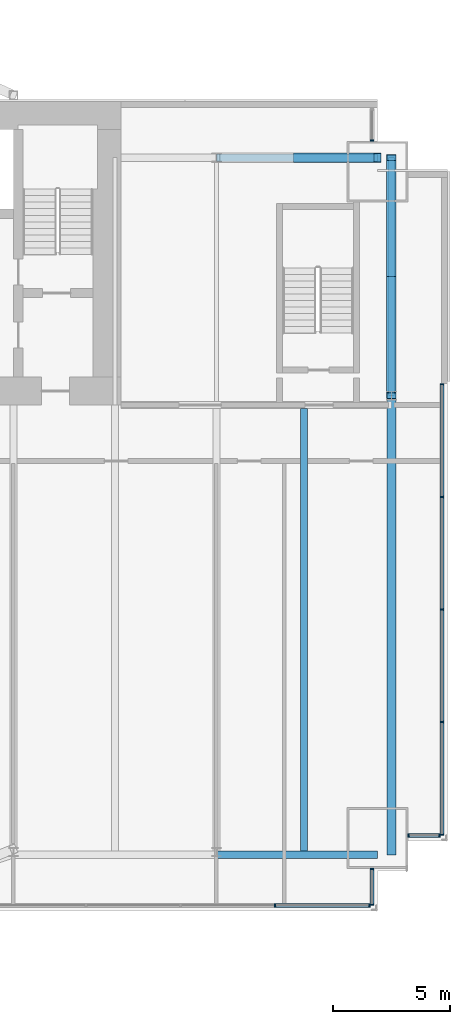
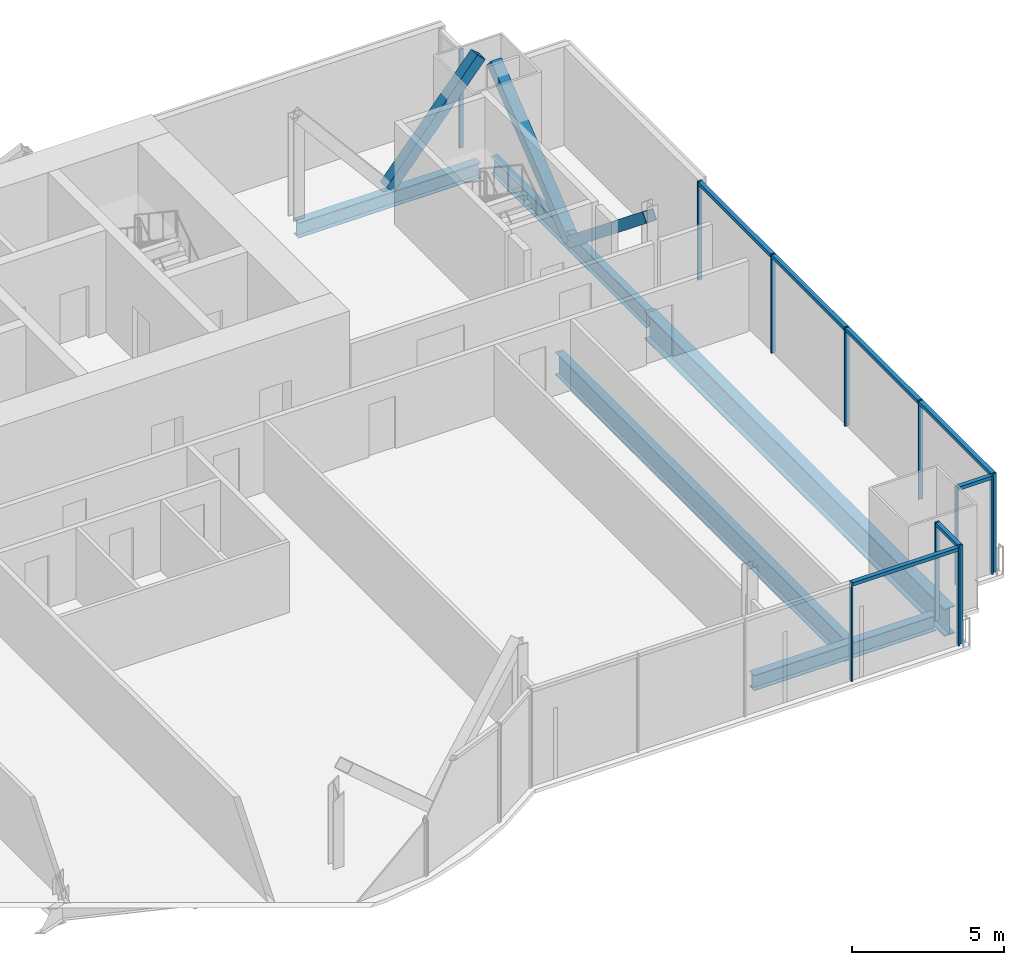
# One storey, part 12 of 21: 22 members, 5 beams, 5 elements without a shape of their own.
"""IFC4 building model written with IfcOpenShell, lengths in metres."""

import ifcopenshell
import ifcopenshell.guid

model = None  # the IFC model being written
_history = None  # IfcOwnerHistory: only IFC2X3 demands one
_inside = {}  # id of a spatial element -> (the spatial element, [elements in it])
_under = {}  # id of a project, library or spatial element -> (it, [spatial elements below it])
_declared = {}  # id of a project -> (the project, [libraries it declares])
_typed = {}  # id of a type object -> (the type object, [elements of that type])
_made_of = {}  # id of a material, layer set ... -> (it, [elements and type objects made of it])


def new_model(schema):
    """Start an empty IFC model of exactly this schema.

    Asked for "IFC4X3", IfcOpenShell would pick the latest addendum, in which some entities
    have other attributes; the version numbers below select the first issue.
    IFC2X3 requires an IfcOwnerHistory on every rooted entity: one is made here for all.
    """
    global model, _history
    if schema == "IFC4X3":
        model = ifcopenshell.file(schema_version=(4, 3, 0, 0))
    else:
        model = ifcopenshell.file(schema=schema)
    _inside.clear()
    _under.clear()
    _declared.clear()
    _typed.clear()
    _made_of.clear()
    _history = None
    if model.schema == "IFC2X3":
        org = make("IfcOrganization", Name="unknown")
        user = make(
            "IfcPersonAndOrganization",
            ThePerson=make("IfcPerson", FamilyName="unknown"),
            TheOrganization=org,
        )
        app = make(
            "IfcApplication",
            ApplicationDeveloper=org,
            Version="unknown",
            ApplicationFullName="unknown",
            ApplicationIdentifier="unknown",
        )
        _history = make(
            "IfcOwnerHistory",
            OwningUser=user,
            OwningApplication=app,
            ChangeAction="ADDED",
            CreationDate=0,
        )
    return model


def make(cls, **values):
    """One entity of the class cls with the attributes given. An attribute that is None is left unset."""
    return model.create_entity(
        cls, **{name: value for name, value in values.items() if value is not None}
    )


def rooted(cls, **values):
    """An entity with a GlobalId (a new one), such as an element, a storey or a relation."""
    return make(cls, GlobalId=ifcopenshell.guid.new(), OwnerHistory=_history, **values)


def si_unit(unit_type, name, prefix=None):
    """IfcSIUnit, for example si_unit("LENGTHUNIT", "METRE", prefix="MILLI")."""
    return make("IfcSIUnit", UnitType=unit_type, Prefix=prefix, Name=name)


def assignment(units):
    """IfcUnitAssignment: the units of a project."""
    return None if units is None else make("IfcUnitAssignment", Units=units)


def point(xyz):
    """IfcCartesianPoint."""
    return None if xyz is None else make("IfcCartesianPoint", Coordinates=xyz)


def direction(xyz):
    """IfcDirection."""
    return None if xyz is None else make("IfcDirection", DirectionRatios=xyz)


def frame(location, z_axis=None, x_axis=None):
    """IfcAxis2Placement3D, a coordinate frame: its origin and axes. An axis left out is left unset."""
    return make(
        "IfcAxis2Placement3D",
        Location=point(location),
        Axis=direction(z_axis),
        RefDirection=direction(x_axis),
    )


def frame_2d(location, x_axis=None):
    """IfcAxis2Placement2D, a coordinate frame in the plane: its origin and x axis."""
    return make(
        "IfcAxis2Placement2D", Location=point(location), RefDirection=direction(x_axis)
    )


def origin():
    """The frame at (0, 0, 0) with its axes left unset."""
    return frame((0.0, 0.0, 0.0))


def origin_2d():
    """The frame at (0, 0) in the plane with its x axis left unset."""
    return frame_2d((0.0, 0.0))


def place(relative_to, where):
    """IfcLocalPlacement: puts the frame where relative to a parent placement (None: the world)."""
    return make(
        "IfcLocalPlacement", PlacementRelTo=relative_to, RelativePlacement=where
    )


def context(
    kind, dimensions, precision=None, world=None, true_north=None, identifier=None
):
    """IfcGeometricRepresentationContext, for example the 3D "Model" context."""
    return make(
        "IfcGeometricRepresentationContext",
        ContextIdentifier=identifier,
        ContextType=kind,
        CoordinateSpaceDimension=dimensions,
        Precision=precision,
        WorldCoordinateSystem=world,
        TrueNorth=true_north,
    )


def subcontext(parent, identifier, kind, view, scale=None):
    """IfcGeometricRepresentationSubContext, for example "Body" below "Model"."""
    return make(
        "IfcGeometricRepresentationSubContext",
        ContextIdentifier=identifier,
        ContextType=kind,
        ParentContext=parent,
        TargetScale=scale,
        TargetView=view,
    )


def project(units=None, contexts=None):
    """IfcProject with its units and contexts."""
    return rooted(
        "IfcProject",
        Name="project",
        RepresentationContexts=contexts,
        UnitsInContext=assignment(units),
    )


def spatial(cls, under=None, at=None, **own):
    """A site, building, storey or space (cls), placed at a placement, below another one or the project."""
    s = rooted(cls, ObjectPlacement=at, **own)
    if under is not None:
        _under.setdefault(under.id(), (under, []))[1].append(s)
    return s


def profile(cls, at=None, kind="AREA", **sizes):
    """A parametric profile (cls). Its sizes go by their IFC names, for example OverallWidth=200.0."""
    return make(cls, ProfileType=kind, Position=at, **sizes)


def rectangle(**sizes):
    """IfcRectangleProfileDef."""
    return profile("IfcRectangleProfileDef", **sizes)


def hollow_rectangle(**sizes):
    """IfcRectangleHollowProfileDef."""
    return profile("IfcRectangleHollowProfileDef", **sizes)


def i_section(**sizes):
    """IfcIShapeProfileDef."""
    return profile("IfcIShapeProfileDef", **sizes)


def extrude(swept, where, along, depth):
    """IfcExtrudedAreaSolid: the profile swept, set in the frame where, extruded along a direction by depth."""
    return make(
        "IfcExtrudedAreaSolid",
        SweptArea=swept,
        Position=where,
        ExtrudedDirection=direction(along),
        Depth=depth,
    )


def shape(context_of_items, identifier, shape_type, items):
    """IfcShapeRepresentation: the items that make up one representation, for example the "Body"."""
    return make(
        "IfcShapeRepresentation",
        ContextOfItems=context_of_items,
        RepresentationIdentifier=identifier,
        RepresentationType=shape_type,
        Items=items,
    )


def material(Name=None, Category=None):
    """IfcMaterial."""
    return make("IfcMaterial", Name=Name, Category=Category)


def material_profile(
    of_material, cross_section, Name=None, Category=None, Priority=None
):
    """IfcMaterialProfile: a cross section and its material."""
    return make(
        "IfcMaterialProfile",
        Name=Name,
        Material=of_material,
        Profile=cross_section,
        Priority=Priority,
        Category=Category,
    )


def profile_set(profiles, Name=None, composite=None):
    """IfcMaterialProfileSet."""
    return make(
        "IfcMaterialProfileSet",
        Name=Name,
        MaterialProfiles=profiles,
        CompositeProfile=composite,
    )


def made_of(thing, what):
    """Note that an element or type object is made of a material, layer set ...; save() writes the relation."""
    if what is not None:
        _made_of.setdefault(what.id(), (what, []))[1].append(thing)
    return thing


def type_object(cls, material=None, **own):
    """A type object (cls), such as IfcWallType, which elements share."""
    return made_of(rooted(cls, **own), material)


def element(
    cls,
    number,
    at=None,
    inside=None,
    cuts=None,
    type_object=None,
    material=None,
    context=None,
    identifier="Body",
    shape_type=None,
    held_by="IfcProductDefinitionShape",
    body=None,
    shapes=None,
    **own,
):
    """One element of the class cls, such as IfcWall. Its Tag is "e" and its number.

    at: its placement. inside: the storey or other place that contains it. cuts: it is an
    opening in that element (IfcRelVoidsElement). A single representation is given by context,
    identifier, shape_type and body (its items); several are given by shapes. held_by: the class
    of the entity that holds the representations. save() writes the other relations.
    """
    e = rooted(cls, Tag="e%d" % number, ObjectPlacement=at, **own)
    if body is not None:
        shapes = [shape(context, identifier, shape_type, body)]
    if shapes is not None:
        e.Representation = make(held_by, Representations=shapes)
    if inside is not None:
        _inside.setdefault(inside.id(), (inside, []))[1].append(e)
    if cuts is not None:
        rooted(
            "IfcRelVoidsElement", RelatingBuildingElement=cuts, RelatedOpeningElement=e
        )
    if type_object is not None:
        _typed.setdefault(type_object.id(), (type_object, []))[1].append(e)
    return made_of(e, material)


def aggregate(whole, parts):
    """IfcRelAggregates: a whole, such as a stair, and the parts it consists of."""
    return rooted("IfcRelAggregates", RelatingObject=whole, RelatedObjects=parts)


def save(model, path):
    """Write the relations noted so far, then the file.

    IfcRelAggregates (storeys below a building ...), IfcRelContainedInSpatialStructure (elements
    in a storey), IfcRelDefinesByType, IfcRelAssociatesMaterial and IfcRelDeclares: one each for
    every whole, place, type object, material and project.
    """
    for whole, parts in _under.values():
        aggregate(whole, parts)
    for where, things in _inside.values():
        rooted(
            "IfcRelContainedInSpatialStructure",
            RelatedElements=things,
            RelatingStructure=where,
        )
    for kind, things in _typed.values():
        rooted("IfcRelDefinesByType", RelatedObjects=things, RelatingType=kind)
    for what, things in _made_of.values():
        rooted("IfcRelAssociatesMaterial", RelatedObjects=things, RelatingMaterial=what)
    for by, libraries in _declared.values():
        rooted("IfcRelDeclares", RelatingContext=by, RelatedDefinitions=libraries)
    model.write(path)


model = new_model("IFC4")

# Units and contexts
model_context = context("Model", 3, precision=1e-05, world=origin(), true_north=direction((0.0, 1.0)))
body_context = subcontext(model_context, "Body", "Model", "MODEL_VIEW")
ifc_project = project(units=[si_unit("LENGTHUNIT", "METRE"), si_unit("AREAUNIT", "SQUARE_METRE"), si_unit("VOLUMEUNIT", "CUBIC_METRE"), si_unit("PLANEANGLEUNIT", "RADIAN"), si_unit("MASSUNIT", "GRAM", prefix="KILO")], contexts=[model_context])

# Site, building, storey
site_placement = place(None, origin())
site = spatial("IfcSite", under=ifc_project, at=site_placement, CompositionType="ELEMENT")
building_placement = place(site_placement, origin())
building = spatial("IfcBuilding", under=site, at=building_placement, Name="Bicima Exchange Tower", CompositionType="ELEMENT")
storey_placement = place(building_placement, frame((0.0, 0.0, 165.0)))
storey = spatial("IfcBuildingStorey", under=building, at=storey_placement, Name="L36", CompositionType="ELEMENT", Elevation=165.0)

# Curtain wall, members
ifc_material_1 = material(Name="Anodised bronze aluminium", Category="aluminium")
curtain_wall_type_1 = type_object("IfcCurtainWallType", Name="End face glass wall", PredefinedType="NOTDEFINED", material=ifc_material_1)
curtain_wall_1_placement = place(storey_placement, origin())
curtain_wall_1 = element("IfcCurtainWall", 1, at=curtain_wall_1_placement, inside=storey, type_object=curtain_wall_type_1, Name="End face glass wall L36 run 19", PredefinedType="NOTDEFINED")
ifc_material_profile_1 = material_profile(ifc_material_1, rectangle(XDim=0.159912109375, YDim=0.06005859375, at=origin_2d()))
ifc_profile_set_1 = profile_set([ifc_material_profile_1], Name="Anodised bronze aluminium")
member_type_1 = type_object("IfcMemberType", Name="End face glass wall mullion 60 x 160", PredefinedType="MULLION", material=ifc_profile_set_1)
member_1_placement = place(storey_placement, frame((35.77001953125, -31.419921875, 0.0), z_axis=(0.0, 0.0, 1.0), x_axis=(-1.0, 0.0, 0.0)))
member_1 = element("IfcMember", 2, at=member_1_placement, type_object=member_type_1, Name="End face glass wall mullion 1", PredefinedType="MULLION", context=body_context, shape_type="SweptSolid", body=[
    extrude(rectangle(XDim=0.159912109375, YDim=0.06005859375, at=origin_2d()), origin(), (0.0, 0.0, 1.0), 3.949951171875),
])
member_2_placement = place(storey_placement, frame((35.77001953125, -26.592529296875, 0.0), z_axis=(0.0, 0.0, 1.0), x_axis=(-1.0, 0.0, 0.0)))
member_2 = element("IfcMember", 3, at=member_2_placement, type_object=member_type_1, Name="End face glass wall mullion 2", PredefinedType="MULLION", context=body_context, shape_type="SweptSolid", body=[
    extrude(rectangle(XDim=0.159912109375, YDim=0.06005859375, at=origin_2d()), origin(), (0.0, 0.0, 1.0), 3.949951171875),
])
member_3_placement = place(storey_placement, frame((35.77001953125, -21.764892578125, 0.0), z_axis=(0.0, 0.0, 1.0), x_axis=(-1.0, 0.0, 0.0)))
member_3 = element("IfcMember", 4, at=member_3_placement, type_object=member_type_1, Name="End face glass wall mullion 3", PredefinedType="MULLION", context=body_context, shape_type="SweptSolid", body=[
    extrude(rectangle(XDim=0.159912109375, YDim=0.06005859375, at=origin_2d()), origin(), (0.0, 0.0, 1.0), 3.949951171875),
])
member_4_placement = place(storey_placement, frame((35.77001953125, -16.9375, 0.0), z_axis=(0.0, 0.0, 1.0), x_axis=(-1.0, 0.0, 0.0)))
member_4 = element("IfcMember", 5, at=member_4_placement, type_object=member_type_1, Name="End face glass wall mullion 4", PredefinedType="MULLION", context=body_context, shape_type="SweptSolid", body=[
    extrude(rectangle(XDim=0.159912109375, YDim=0.06005859375, at=origin_2d()), origin(), (0.0, 0.0, 1.0), 3.949951171875),
])
member_5_placement = place(storey_placement, frame((35.77001953125, -12.110107421875, 0.0), z_axis=(0.0, 0.0, 1.0), x_axis=(-1.0, 0.0, 0.0)))
member_5 = element("IfcMember", 6, at=member_5_placement, type_object=member_type_1, Name="End face glass wall mullion 5", PredefinedType="MULLION", context=body_context, shape_type="SweptSolid", body=[
    extrude(rectangle(XDim=0.159912109375, YDim=0.06005859375, at=origin_2d()), origin(), (0.0, 0.0, 1.0), 3.949951171875),
])
ifc_material_profile_2 = material_profile(ifc_material_1, rectangle(XDim=0.159912109375, YDim=0.139892578125, at=origin_2d()))
ifc_profile_set_2 = profile_set([ifc_material_profile_2], Name="Anodised bronze aluminium")
member_type_2 = type_object("IfcMemberType", Name="End face glass wall transom 140 x 160", PredefinedType="USERDEFINED", material=ifc_profile_set_2)
member_6_placement = place(storey_placement, frame((35.77001953125, -31.389892578125, 3.8798828125), z_axis=(0.0, 1.0, 0.0), x_axis=(-1.0, 0.0, 0.0)))
member_6 = element("IfcMember", 7, at=member_6_placement, type_object=member_type_2, Name="End face glass wall transom 1.1", ObjectType="TRANSOM", PredefinedType="USERDEFINED", context=body_context, shape_type="SweptSolid", body=[
    extrude(rectangle(XDim=0.159912109375, YDim=0.139892578125, at=origin_2d()), origin(), (0.0, 0.0, 1.0), 4.767333984375),
])
member_7_placement = place(storey_placement, frame((35.77001953125, -26.5625, 3.8798828125), z_axis=(0.0, 1.0, 0.0), x_axis=(-1.0, 0.0, 0.0)))
member_7 = element("IfcMember", 8, at=member_7_placement, type_object=member_type_2, Name="End face glass wall transom 2.1", ObjectType="TRANSOM", PredefinedType="USERDEFINED", context=body_context, shape_type="SweptSolid", body=[
    extrude(rectangle(XDim=0.159912109375, YDim=0.139892578125, at=origin_2d()), origin(), (0.0, 0.0, 1.0), 4.767578125),
])
member_8_placement = place(storey_placement, frame((35.77001953125, -21.735107421875, 3.8798828125), z_axis=(0.0, 1.0, 0.0), x_axis=(-1.0, 0.0, 0.0)))
member_8 = element("IfcMember", 9, at=member_8_placement, type_object=member_type_2, Name="End face glass wall transom 3.1", ObjectType="TRANSOM", PredefinedType="USERDEFINED", context=body_context, shape_type="SweptSolid", body=[
    extrude(rectangle(XDim=0.159912109375, YDim=0.139892578125, at=origin_2d()), origin(), (0.0, 0.0, 1.0), 4.767578125),
])
member_9_placement = place(storey_placement, frame((35.77001953125, -16.907470703125, 3.8798828125), z_axis=(0.0, 1.0, 0.0), x_axis=(-1.0, 0.0, 0.0)))
member_9 = element("IfcMember", 10, at=member_9_placement, type_object=member_type_2, Name="End face glass wall transom 4.1", ObjectType="TRANSOM", PredefinedType="USERDEFINED", context=body_context, shape_type="SweptSolid", body=[
    extrude(rectangle(XDim=0.159912109375, YDim=0.139892578125, at=origin_2d()), origin(), (0.0, 0.0, 1.0), 4.767578125),
])
aggregate(curtain_wall_1, [member_1, member_2, member_3, member_4, member_5, member_6, member_7, member_8, member_9])

# Beams
ifc_material_2 = material(Name="Steel ASTM A992 Gr 50", Category="steel")
ifc_material_profile_3 = material_profile(ifc_material_2, i_section(OverallWidth=0.256591796875, OverallDepth=0.693359375, WebThickness=0.014404296875, FlangeThickness=0.023681640625, at=origin_2d()))
ifc_profile_set_3 = profile_set([ifc_material_profile_3], Name="Steel ASTM A992 Gr 50")
beam_type_1 = type_object("IfcBeamType", Name="End girder W27x114", PredefinedType="BEAM", material=ifc_profile_set_3)
beam_1_placement = place(storey_placement, frame((33.60009765625, -2.39990234375, -0.49658203125), z_axis=(0.0, -1.0, 0.0), x_axis=(1.0, 0.0, 0.0)))
element("IfcBeam", 11, at=beam_1_placement, inside=storey, type_object=beam_type_1, Name="End girder", PredefinedType="BEAM", context=body_context, shape_type="SweptSolid", body=[
    extrude(i_section(OverallWidth=0.256591796875, OverallDepth=0.693359375, WebThickness=0.014404296875, FlangeThickness=0.023681640625, at=origin_2d()), origin(), (0.0, 0.0, 1.0), 10.2001953125),
])
ifc_material_profile_4 = material_profile(ifc_material_2, i_section(OverallWidth=0.4013671875, OverallDepth=1.089599609375, WebThickness=0.01806640625, FlangeThickness=0.031005859375, at=origin_2d()))
ifc_profile_set_4 = profile_set([ifc_material_profile_4], Name="Steel ASTM A992 Gr 50")
beam_type_2 = type_object("IfcBeamType", Name="End girder W44x230", PredefinedType="BEAM", material=ifc_profile_set_4)
beam_2_placement = place(storey_placement, frame((33.60009765625, -12.60009765625, -0.69482421875), z_axis=(0.0, -1.0, 0.0), x_axis=(1.0, 0.0, 0.0)))
element("IfcBeam", 12, at=beam_2_placement, inside=storey, type_object=beam_type_2, Name="End girder", PredefinedType="BEAM", context=body_context, shape_type="SweptSolid", body=[
    extrude(i_section(OverallWidth=0.4013671875, OverallDepth=1.089599609375, WebThickness=0.01806640625, FlangeThickness=0.031005859375, at=origin_2d()), origin(), (0.0, 0.0, 1.0), 19.679931640625),
])
ifc_material_profile_5 = material_profile(ifc_material_2, i_section(OverallWidth=0.3046875, OverallDepth=0.904296875, WebThickness=0.01513671875, FlangeThickness=0.02001953125, at=origin_2d()))
ifc_profile_set_5 = profile_set([ifc_material_profile_5], Name="Steel ASTM A992 Gr 50")
beam_type_3 = type_object("IfcBeamType", Name="Floor beam W36x135", PredefinedType="JOIST", material=ifc_profile_set_5)
beam_3_placement = place(storey_placement, frame((29.85009765625, -13.15234375, -0.60205078125), z_axis=(0.0, -1.0, 0.0), x_axis=(1.0, 0.0, 0.0)))
element("IfcBeam", 13, at=beam_3_placement, inside=storey, type_object=beam_type_3, Name="Floor beam", PredefinedType="JOIST", context=body_context, shape_type="SweptSolid", body=[
    extrude(i_section(OverallWidth=0.3046875, OverallDepth=0.904296875, WebThickness=0.01513671875, FlangeThickness=0.02001953125, at=origin_2d()), origin(), (0.0, 0.0, 1.0), 18.965087890625),
])
ifc_material_profile_6 = material_profile(ifc_material_2, i_section(OverallWidth=0.3251953125, OverallDepth=0.612060546875, WebThickness=0.0126953125, FlangeThickness=0.01904296875, at=origin_2d()))
ifc_profile_set_6 = profile_set([ifc_material_profile_6], Name="Steel ASTM A992 Gr 50")
beam_type_4 = type_object("IfcBeamType", Name="Front girder W24x104", PredefinedType="BEAM", material=ifc_profile_set_6)
beam_4_placement = place(storey_placement, frame((26.10009765625, -32.280029296875, -0.4560546875), z_axis=(1.0, 0.0, 0.0), x_axis=(0.0, 1.0, 0.0)))
element("IfcBeam", 14, at=beam_4_placement, inside=storey, type_object=beam_type_4, Name="Front girder", PredefinedType="BEAM", context=body_context, shape_type="SweptSolid", body=[
    extrude(i_section(OverallWidth=0.3251953125, OverallDepth=0.612060546875, WebThickness=0.0126953125, FlangeThickness=0.01904296875, at=origin_2d()), origin(), (0.0, 0.0, 1.0), 6.89990234375),
])

# Curtain wall, members
curtain_wall_type_2 = type_object("IfcCurtainWallType", Name="Front glass wall", PredefinedType="NOTDEFINED", material=ifc_material_1)
curtain_wall_2_placement = place(storey_placement, origin())
curtain_wall_2 = element("IfcCurtainWall", 15, at=curtain_wall_2_placement, inside=storey, type_object=curtain_wall_type_2, Name="Front glass wall L36 run 16", PredefinedType="NOTDEFINED")
member_type_3 = type_object("IfcMemberType", Name="Front glass wall mullion 60 x 160", PredefinedType="MULLION", material=ifc_profile_set_1)
member_10_placement = place(storey_placement, frame((28.610595703125, -34.449951171875, 0.0), z_axis=(0.0, 0.0, 1.0), x_axis=(0.0, 1.0, 0.0)))
member_10 = element("IfcMember", 16, at=member_10_placement, type_object=member_type_3, Name="Front glass wall mullion 4", PredefinedType="MULLION", context=body_context, shape_type="SweptSolid", body=[
    extrude(rectangle(XDim=0.159912109375, YDim=0.06005859375, at=origin_2d()), origin(), (0.0, 0.0, 1.0), 3.949951171875),
])
member_11_placement = place(storey_placement, frame((32.659912109375, -34.449951171875, 0.0), z_axis=(0.0, 0.0, 1.0), x_axis=(0.0, 1.0, 0.0)))
member_11 = element("IfcMember", 17, at=member_11_placement, type_object=member_type_3, Name="Front glass wall mullion 5", PredefinedType="MULLION", context=body_context, shape_type="SweptSolid", body=[
    extrude(rectangle(XDim=0.159912109375, YDim=0.06005859375, at=origin_2d()), origin(), (0.0, 0.0, 1.0), 3.949951171875),
])

curtain_wall_3_placement = place(storey_placement, origin())
curtain_wall_3 = element("IfcCurtainWall", 18, at=curtain_wall_3_placement, inside=storey, type_object=curtain_wall_type_2, Name="Front glass wall L36 run 17", PredefinedType="NOTDEFINED")
member_12_placement = place(storey_placement, frame((32.77001953125, -34.419921875, 0.0), z_axis=(0.0, 0.0, 1.0), x_axis=(-1.0, 0.0, 0.0)))
member_12 = element("IfcMember", 19, at=member_12_placement, type_object=member_type_3, Name="Front glass wall mullion 1", PredefinedType="MULLION", context=body_context, shape_type="SweptSolid", body=[
    extrude(rectangle(XDim=0.159912109375, YDim=0.06005859375, at=origin_2d()), origin(), (0.0, 0.0, 1.0), 3.949951171875),
])
member_13_placement = place(storey_placement, frame((32.77001953125, -32.887939453125, 0.0), z_axis=(0.0, 0.0, 1.0), x_axis=(-1.0, 0.0, 0.0)))
member_13 = element("IfcMember", 20, at=member_13_placement, type_object=member_type_3, Name="Front glass wall mullion 2", PredefinedType="MULLION", context=body_context, shape_type="SweptSolid", body=[
    extrude(rectangle(XDim=0.159912109375, YDim=0.06005859375, at=origin_2d()), origin(), (0.0, 0.0, 1.0), 3.949951171875),
])

curtain_wall_4_placement = place(storey_placement, origin())
curtain_wall_4 = element("IfcCurtainWall", 21, at=curtain_wall_4_placement, inside=storey, type_object=curtain_wall_type_2, Name="Front glass wall L36 run 18", PredefinedType="NOTDEFINED")
member_14_placement = place(storey_placement, frame((34.330078125, -31.449951171875, 0.0), z_axis=(0.0, 0.0, 1.0), x_axis=(0.0, 1.0, 0.0)))
member_14 = element("IfcMember", 22, at=member_14_placement, type_object=member_type_3, Name="Front glass wall mullion 1", PredefinedType="MULLION", context=body_context, shape_type="SweptSolid", body=[
    extrude(rectangle(XDim=0.159912109375, YDim=0.06005859375, at=origin_2d()), origin(), (0.0, 0.0, 1.0), 3.949951171875),
])
member_15_placement = place(storey_placement, frame((35.659912109375, -31.449951171875, 0.0), z_axis=(0.0, 0.0, 1.0), x_axis=(0.0, 1.0, 0.0)))
member_15 = element("IfcMember", 23, at=member_15_placement, type_object=member_type_3, Name="Front glass wall mullion 2", PredefinedType="MULLION", context=body_context, shape_type="SweptSolid", body=[
    extrude(rectangle(XDim=0.159912109375, YDim=0.06005859375, at=origin_2d()), origin(), (0.0, 0.0, 1.0), 3.949951171875),
])

# Curtain wall, member
curtain_wall_5_placement = place(storey_placement, origin())
curtain_wall_5 = element("IfcCurtainWall", 24, at=curtain_wall_5_placement, inside=storey, type_object=curtain_wall_type_2, Name="Front glass wall L36 run 20", PredefinedType="NOTDEFINED")
member_16_placement = place(storey_placement, frame((32.77001953125, -1.669921875, 0.0), z_axis=(0.0, 0.0, 1.0), x_axis=(-1.0, 0.0, 0.0)))
member_16 = element("IfcMember", 25, at=member_16_placement, type_object=member_type_3, Name="Front glass wall mullion 1", PredefinedType="MULLION", context=body_context, shape_type="SweptSolid", body=[
    extrude(rectangle(XDim=0.159912109375, YDim=0.06005859375, at=origin_2d()), origin(), (0.0, 0.0, 1.0), 3.949951171875),
])
aggregate(curtain_wall_5, [member_16])

# Member
member_type_4 = type_object("IfcMemberType", Name="Front glass wall transom 140 x 160", PredefinedType="USERDEFINED", material=ifc_profile_set_2)
member_17_placement = place(storey_placement, frame((28.640380859375, -34.449951171875, 3.8798828125), z_axis=(1.0, 0.0, 0.0), x_axis=(0.0, 1.0, 0.0)))
member_17 = element("IfcMember", 26, at=member_17_placement, type_object=member_type_4, Name="Front glass wall transom 4.1", ObjectType="TRANSOM", PredefinedType="USERDEFINED", context=body_context, shape_type="SweptSolid", body=[
    extrude(rectangle(XDim=0.159912109375, YDim=0.139892578125, at=origin_2d()), origin(), (0.0, 0.0, 1.0), 3.989501953125),
])

aggregate(curtain_wall_2, [member_10, member_11, member_17])

member_18_placement = place(storey_placement, frame((32.77001953125, -34.389892578125, 3.8798828125), z_axis=(0.0, 1.0, 0.0), x_axis=(-1.0, 0.0, 0.0)))
member_18 = element("IfcMember", 27, at=member_18_placement, type_object=member_type_4, Name="Front glass wall transom 1.1", ObjectType="TRANSOM", PredefinedType="USERDEFINED", context=body_context, shape_type="SweptSolid", body=[
    extrude(rectangle(XDim=0.159912109375, YDim=0.139892578125, at=origin_2d()), origin(), (0.0, 0.0, 1.0), 1.471923828125),
])

aggregate(curtain_wall_3, [member_12, member_13, member_18])

member_19_placement = place(storey_placement, frame((34.360107421875, -31.449951171875, 3.8798828125), z_axis=(1.0, 0.0, 0.0), x_axis=(0.0, 1.0, 0.0)))
member_19 = element("IfcMember", 28, at=member_19_placement, type_object=member_type_4, Name="Front glass wall transom 1.1", ObjectType="TRANSOM", PredefinedType="USERDEFINED", context=body_context, shape_type="SweptSolid", body=[
    extrude(rectangle(XDim=0.159912109375, YDim=0.139892578125, at=origin_2d()), origin(), (0.0, 0.0, 1.0), 1.269775390625),
])

aggregate(curtain_wall_4, [member_14, member_15, member_19])

# Members
ifc_material_3 = material(Name="Steel ASTM A572 Gr 50", Category="steel")
ifc_material_profile_7 = material_profile(ifc_material_3, hollow_rectangle(XDim=0.406494140625, YDim=0.406494140625, WallThickness=0.017822265625, at=origin_2d()))
ifc_profile_set_7 = profile_set([ifc_material_profile_7], Name="Steel ASTM A572 Gr 50")
member_type_5 = type_object("IfcMemberType", Name="Mega brace HSS16x16x3/4", PredefinedType="BRACE", material=ifc_profile_set_7)
member_20_placement = place(storey_placement, frame((29.550048828125, -2.39990234375, 0.0), z_axis=(0.643834042494, 0.0, 0.765165162384), x_axis=(0.0, 1.0, 0.0)))
element("IfcMember", 29, at=member_20_placement, inside=storey, type_object=member_type_5, Name="Mega brace rear", PredefinedType="BRACE", context=body_context, shape_type="SweptSolid", body=[
    extrude(hollow_rectangle(XDim=0.406494140625, YDim=0.406494140625, WallThickness=0.017822265625, at=origin_2d()), origin(), (0.0, 0.0, 1.0), 5.3583984375),
])
for number, where, z_axis, x_axis, name in (
    (30, (33.60009765625, -7.5, -0.49658203125), (0.0, -0.779392460608, 0.626536026376), (1.0, 0.0, 0.0), "Mega brace east end"),
    (31, (33.60009765625, -7.5, -0.49658203125), (0.0, 0.779392460608, 0.626536026376), (-1.0, 0.0, 0.0), "Mega brace east end"),
):
    element("IfcMember", number, at=place(storey_placement, frame(where, z_axis=z_axis, x_axis=x_axis)), inside=storey, type_object=member_type_5, Name=name, PredefinedType="BRACE", context=body_context, shape_type="SweptSolid", body=[
        extrude(hollow_rectangle(XDim=0.406494140625, YDim=0.406494140625, WallThickness=0.017822265625, at=origin_2d()), origin(), (0.0, 0.0, 1.0), 6.543701171875),
    ])

# Beam
beam_type_5 = type_object("IfcBeamType", Name="Rear girder W24x104", PredefinedType="BEAM", material=ifc_profile_set_6)
beam_5_placement = place(storey_placement, frame((26.10009765625, -2.39990234375, -0.4560546875), z_axis=(1.0, 0.0, 0.0), x_axis=(0.0, 1.0, 0.0)))
element("IfcBeam", 32, at=beam_5_placement, inside=storey, type_object=beam_type_5, Name="Rear girder", PredefinedType="BEAM", context=body_context, shape_type="SweptSolid", body=[
    extrude(i_section(OverallWidth=0.3251953125, OverallDepth=0.612060546875, WebThickness=0.0126953125, FlangeThickness=0.01904296875, at=origin_2d()), origin(), (0.0, 0.0, 1.0), 6.89990234375),
])

save(model, "model.ifc")
